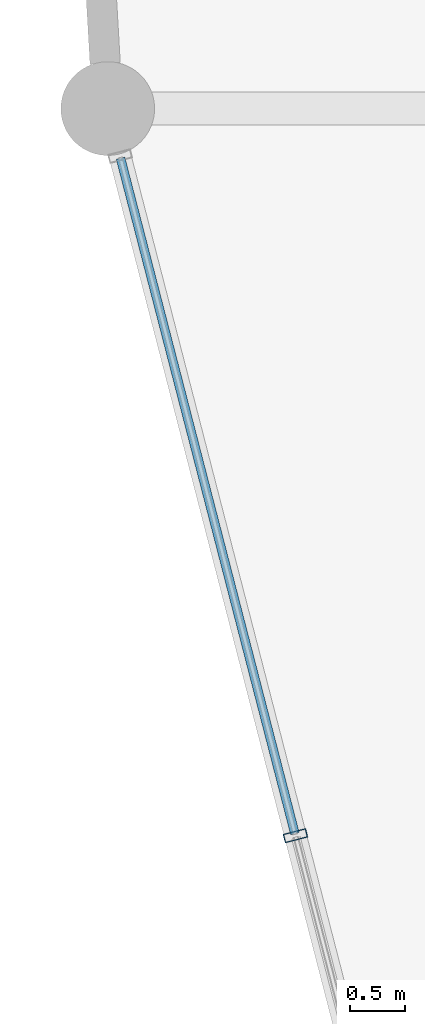
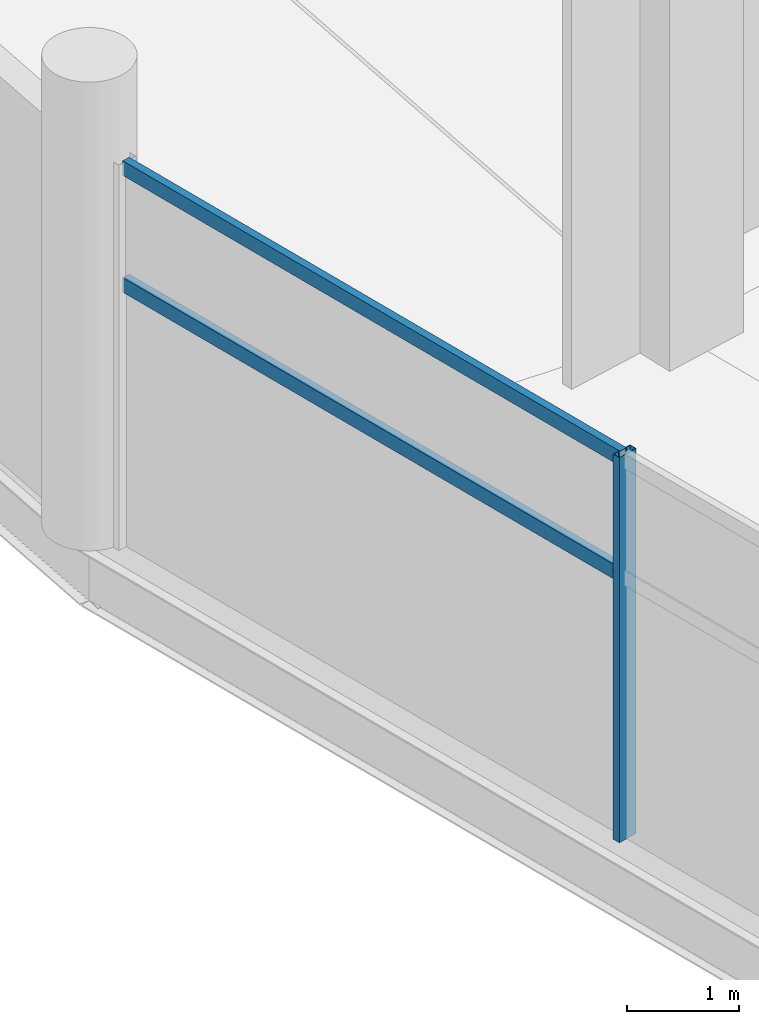
# One storey, part 10 of 184: 3 members, 1 element without a shape of its own.
"""IFC4 building model written with IfcOpenShell, lengths in metres."""

import ifcopenshell
import ifcopenshell.guid

model = None  # the IFC model being written
_history = None  # IfcOwnerHistory: only IFC2X3 demands one
_inside = {}  # id of a spatial element -> (the spatial element, [elements in it])
_under = {}  # id of a project, library or spatial element -> (it, [spatial elements below it])
_declared = {}  # id of a project -> (the project, [libraries it declares])
_typed = {}  # id of a type object -> (the type object, [elements of that type])
_made_of = {}  # id of a material, layer set ... -> (it, [elements and type objects made of it])


def new_model(schema):
    """Start an empty IFC model of exactly this schema.

    Asked for "IFC4X3", IfcOpenShell would pick the latest addendum, in which some entities
    have other attributes; the version numbers below select the first issue.
    IFC2X3 requires an IfcOwnerHistory on every rooted entity: one is made here for all.
    """
    global model, _history
    if schema == "IFC4X3":
        model = ifcopenshell.file(schema_version=(4, 3, 0, 0))
    else:
        model = ifcopenshell.file(schema=schema)
    _inside.clear()
    _under.clear()
    _declared.clear()
    _typed.clear()
    _made_of.clear()
    _history = None
    if model.schema == "IFC2X3":
        org = make("IfcOrganization", Name="unknown")
        user = make(
            "IfcPersonAndOrganization",
            ThePerson=make("IfcPerson", FamilyName="unknown"),
            TheOrganization=org,
        )
        app = make(
            "IfcApplication",
            ApplicationDeveloper=org,
            Version="unknown",
            ApplicationFullName="unknown",
            ApplicationIdentifier="unknown",
        )
        _history = make(
            "IfcOwnerHistory",
            OwningUser=user,
            OwningApplication=app,
            ChangeAction="ADDED",
            CreationDate=0,
        )
    return model


def make(cls, **values):
    """One entity of the class cls with the attributes given. An attribute that is None is left unset."""
    return model.create_entity(
        cls, **{name: value for name, value in values.items() if value is not None}
    )


def rooted(cls, **values):
    """An entity with a GlobalId (a new one), such as an element, a storey or a relation."""
    return make(cls, GlobalId=ifcopenshell.guid.new(), OwnerHistory=_history, **values)


def si_unit(unit_type, name, prefix=None):
    """IfcSIUnit, for example si_unit("LENGTHUNIT", "METRE", prefix="MILLI")."""
    return make("IfcSIUnit", UnitType=unit_type, Prefix=prefix, Name=name)


def assignment(units):
    """IfcUnitAssignment: the units of a project."""
    return None if units is None else make("IfcUnitAssignment", Units=units)


def point(xyz):
    """IfcCartesianPoint."""
    return None if xyz is None else make("IfcCartesianPoint", Coordinates=xyz)


def direction(xyz):
    """IfcDirection."""
    return None if xyz is None else make("IfcDirection", DirectionRatios=xyz)


def frame(location, z_axis=None, x_axis=None):
    """IfcAxis2Placement3D, a coordinate frame: its origin and axes. An axis left out is left unset."""
    return make(
        "IfcAxis2Placement3D",
        Location=point(location),
        Axis=direction(z_axis),
        RefDirection=direction(x_axis),
    )


def frame_2d(location, x_axis=None):
    """IfcAxis2Placement2D, a coordinate frame in the plane: its origin and x axis."""
    return make(
        "IfcAxis2Placement2D", Location=point(location), RefDirection=direction(x_axis)
    )


def origin():
    """The frame at (0, 0, 0) with its axes left unset."""
    return frame((0.0, 0.0, 0.0))


def origin_2d():
    """The frame at (0, 0) in the plane with its x axis left unset."""
    return frame_2d((0.0, 0.0))


def place(relative_to, where):
    """IfcLocalPlacement: puts the frame where relative to a parent placement (None: the world)."""
    return make(
        "IfcLocalPlacement", PlacementRelTo=relative_to, RelativePlacement=where
    )


def context(
    kind, dimensions, precision=None, world=None, true_north=None, identifier=None
):
    """IfcGeometricRepresentationContext, for example the 3D "Model" context."""
    return make(
        "IfcGeometricRepresentationContext",
        ContextIdentifier=identifier,
        ContextType=kind,
        CoordinateSpaceDimension=dimensions,
        Precision=precision,
        WorldCoordinateSystem=world,
        TrueNorth=true_north,
    )


def subcontext(parent, identifier, kind, view, scale=None):
    """IfcGeometricRepresentationSubContext, for example "Body" below "Model"."""
    return make(
        "IfcGeometricRepresentationSubContext",
        ContextIdentifier=identifier,
        ContextType=kind,
        ParentContext=parent,
        TargetScale=scale,
        TargetView=view,
    )


def project(units=None, contexts=None):
    """IfcProject with its units and contexts."""
    return rooted(
        "IfcProject",
        Name="project",
        RepresentationContexts=contexts,
        UnitsInContext=assignment(units),
    )


def spatial(cls, under=None, at=None, **own):
    """A site, building, storey or space (cls), placed at a placement, below another one or the project."""
    s = rooted(cls, ObjectPlacement=at, **own)
    if under is not None:
        _under.setdefault(under.id(), (under, []))[1].append(s)
    return s


def profile(cls, at=None, kind="AREA", **sizes):
    """A parametric profile (cls). Its sizes go by their IFC names, for example OverallWidth=200.0."""
    return make(cls, ProfileType=kind, Position=at, **sizes)


def hollow_rectangle(**sizes):
    """IfcRectangleHollowProfileDef."""
    return profile("IfcRectangleHollowProfileDef", **sizes)


def extrude(swept, where, along, depth):
    """IfcExtrudedAreaSolid: the profile swept, set in the frame where, extruded along a direction by depth."""
    return make(
        "IfcExtrudedAreaSolid",
        SweptArea=swept,
        Position=where,
        ExtrudedDirection=direction(along),
        Depth=depth,
    )


def shape(context_of_items, identifier, shape_type, items):
    """IfcShapeRepresentation: the items that make up one representation, for example the "Body"."""
    return make(
        "IfcShapeRepresentation",
        ContextOfItems=context_of_items,
        RepresentationIdentifier=identifier,
        RepresentationType=shape_type,
        Items=items,
    )


def material(Name=None, Category=None):
    """IfcMaterial."""
    return make("IfcMaterial", Name=Name, Category=Category)


def layer(
    of_material, thickness, ventilated=None, Name=None, Category=None, Priority=None
):
    """IfcMaterialLayer: one layer of a wall or slab, of a material (None: an air gap)."""
    return make(
        "IfcMaterialLayer",
        Material=of_material,
        LayerThickness=thickness,
        IsVentilated=ventilated,
        Name=Name,
        Category=Category,
        Priority=Priority,
    )


def layer_set(layers, Name=None):
    """IfcMaterialLayerSet."""
    return make("IfcMaterialLayerSet", MaterialLayers=layers, LayerSetName=Name)


def material_profile(
    of_material, cross_section, Name=None, Category=None, Priority=None
):
    """IfcMaterialProfile: a cross section and its material."""
    return make(
        "IfcMaterialProfile",
        Name=Name,
        Material=of_material,
        Profile=cross_section,
        Priority=Priority,
        Category=Category,
    )


def profile_set(profiles, Name=None, composite=None):
    """IfcMaterialProfileSet."""
    return make(
        "IfcMaterialProfileSet",
        Name=Name,
        MaterialProfiles=profiles,
        CompositeProfile=composite,
    )


def made_of(thing, what):
    """Note that an element or type object is made of a material, layer set ...; save() writes the relation."""
    if what is not None:
        _made_of.setdefault(what.id(), (what, []))[1].append(thing)
    return thing


def type_object(cls, material=None, **own):
    """A type object (cls), such as IfcWallType, which elements share."""
    return made_of(rooted(cls, **own), material)


def element(
    cls,
    number,
    at=None,
    inside=None,
    cuts=None,
    type_object=None,
    material=None,
    context=None,
    identifier="Body",
    shape_type=None,
    held_by="IfcProductDefinitionShape",
    body=None,
    shapes=None,
    **own,
):
    """One element of the class cls, such as IfcWall. Its Tag is "e" and its number.

    at: its placement. inside: the storey or other place that contains it. cuts: it is an
    opening in that element (IfcRelVoidsElement). A single representation is given by context,
    identifier, shape_type and body (its items); several are given by shapes. held_by: the class
    of the entity that holds the representations. save() writes the other relations.
    """
    e = rooted(cls, Tag="e%d" % number, ObjectPlacement=at, **own)
    if body is not None:
        shapes = [shape(context, identifier, shape_type, body)]
    if shapes is not None:
        e.Representation = make(held_by, Representations=shapes)
    if inside is not None:
        _inside.setdefault(inside.id(), (inside, []))[1].append(e)
    if cuts is not None:
        rooted(
            "IfcRelVoidsElement", RelatingBuildingElement=cuts, RelatedOpeningElement=e
        )
    if type_object is not None:
        _typed.setdefault(type_object.id(), (type_object, []))[1].append(e)
    return made_of(e, material)


def aggregate(whole, parts):
    """IfcRelAggregates: a whole, such as a stair, and the parts it consists of."""
    return rooted("IfcRelAggregates", RelatingObject=whole, RelatedObjects=parts)


def save(model, path):
    """Write the relations noted so far, then the file.

    IfcRelAggregates (storeys below a building ...), IfcRelContainedInSpatialStructure (elements
    in a storey), IfcRelDefinesByType, IfcRelAssociatesMaterial and IfcRelDeclares: one each for
    every whole, place, type object, material and project.
    """
    for whole, parts in _under.values():
        aggregate(whole, parts)
    for where, things in _inside.values():
        rooted(
            "IfcRelContainedInSpatialStructure",
            RelatedElements=things,
            RelatingStructure=where,
        )
    for kind, things in _typed.values():
        rooted("IfcRelDefinesByType", RelatedObjects=things, RelatingType=kind)
    for what, things in _made_of.values():
        rooted("IfcRelAssociatesMaterial", RelatedObjects=things, RelatingMaterial=what)
    for by, libraries in _declared.values():
        rooted("IfcRelDeclares", RelatingContext=by, RelatedDefinitions=libraries)
    model.write(path)


model = new_model("IFC4")

# Units and contexts
model_context = context("Model", 3, precision=1e-05, world=origin(), true_north=direction((0.0, 1.0)))
body_context = subcontext(model_context, "Body", "Model", "MODEL_VIEW")
ifc_project = project(units=[si_unit("LENGTHUNIT", "METRE"), si_unit("AREAUNIT", "SQUARE_METRE"), si_unit("VOLUMEUNIT", "CUBIC_METRE"), si_unit("PLANEANGLEUNIT", "RADIAN"), si_unit("MASSUNIT", "GRAM", prefix="KILO")], contexts=[model_context])

# Site, building, storey
site_placement = place(None, origin())
site = spatial("IfcSite", under=ifc_project, at=site_placement, CompositionType="ELEMENT")
building_placement = place(site_placement, origin())
building = spatial("IfcBuilding", under=site, at=building_placement, Name="Kazemori Nagisa Stadium", CompositionType="ELEMENT")
storey_placement = place(building_placement, frame((0.0, 0.0, 10.5400390625)))
storey = spatial("IfcBuildingStorey", under=building, at=storey_placement, Name="L02", CompositionType="ELEMENT", Elevation=10.5400390625)

# Curtain wall, members
ifc_material_1 = material(Name="Anodised aluminium 6063-T5", Category="aluminium")
ifc_layer = layer(ifc_material_1, 0.2099609375, Name="Anodised aluminium 6063-T5", Category="aluminium")
ifc_layer_set = layer_set([ifc_layer], Name="Anodised aluminium 6063-T5")
curtain_wall_type = type_object("IfcCurtainWallType", Name="CW_L02R3_96", PredefinedType="USERDEFINED", material=ifc_layer_set)
curtain_wall_placement = place(storey_placement, origin())
curtain_wall = element("IfcCurtainWall", 1, at=curtain_wall_placement, inside=storey, type_object=curtain_wall_type, Name="Unitised curtain wall CW-L02R3-96 L02", ObjectType="UNITISED CURTAIN WALL", PredefinedType="USERDEFINED")
ifc_material_2 = material(Name="Aluminium 6063-T5 anodised", Category="aluminium")
ifc_material_profile_1 = material_profile(ifc_material_2, hollow_rectangle(XDim=0.080078125, YDim=0.2099609375, WallThickness=0.0048828125, at=origin_2d()), Name="ALU-MULL-80x210x5")
ifc_profile_set_1 = profile_set([ifc_material_profile_1], Name="Aluminium 6063-T5 anodised")
member_type_1 = type_object("IfcMemberType", Name="Mullion_M02", PredefinedType="MULLION", material=ifc_profile_set_1)
member_1_placement = place(storey_placement, frame((24.821533203125, 76.008056640625, 0.0), z_axis=(0.0, 0.0, 1.0), x_axis=(0.249964642418, -0.968254965152, 0.0)))
member_1 = element("IfcMember", 2, at=member_1_placement, type_object=member_type_1, Name="Curtain wall mullion CW-L02R3-96-M2", PredefinedType="MULLION", context=body_context, shape_type="SweptSolid", body=[
    extrude(hollow_rectangle(XDim=0.080078125, YDim=0.2099609375, WallThickness=0.0048828125, at=origin_2d()), origin(), (0.0, 0.0, 1.0), 4.18994140625),
])
ifc_material_profile_2 = material_profile(ifc_material_2, hollow_rectangle(XDim=0.080078125, YDim=0.159912109375, WallThickness=0.00390625, at=origin_2d()), Name="ALU-TRAN-80x160x4")
ifc_profile_set_2 = profile_set([ifc_material_profile_2], Name="Aluminium 6063-T5 anodised")
member_type_2 = type_object("IfcMemberType", Name="Transom_T02", PredefinedType="USERDEFINED", material=ifc_profile_set_2)
member_2_placement = place(storey_placement, frame((23.2353515625, 82.152099609375, 2.84912109375), z_axis=(0.249984240369, -0.968249905534, 0.0), x_axis=(0.968249905534, 0.249984240369, 0.0)))
member_2 = element("IfcMember", 3, at=member_2_placement, type_object=member_type_2, Name="Curtain wall transom CW-L02R3-96-T1-mid", ObjectType="TRANSOM", PredefinedType="USERDEFINED", context=body_context, shape_type="SweptSolid", body=[
    extrude(hollow_rectangle(XDim=0.080078125, YDim=0.159912109375, WallThickness=0.00390625, at=origin_2d()), origin(), (0.0, 0.0, 1.0), 6.32568359375),
])
member_3_placement = place(storey_placement, frame((23.2353515625, 82.152099609375, 4.119873046875), z_axis=(0.249984240369, -0.968249905534, 0.0), x_axis=(0.968249905534, 0.249984240369, 0.0)))
member_3 = element("IfcMember", 4, at=member_3_placement, type_object=member_type_2, Name="Curtain wall transom CW-L02R3-96-T1-head", ObjectType="TRANSOM", PredefinedType="USERDEFINED", context=body_context, shape_type="SweptSolid", body=[
    extrude(hollow_rectangle(XDim=0.080078125, YDim=0.159912109375, WallThickness=0.00390625, at=origin_2d()), origin(), (0.0, 0.0, 1.0), 6.32568359375),
])
aggregate(curtain_wall, [member_1, member_2, member_3])

save(model, "model.ifc")
